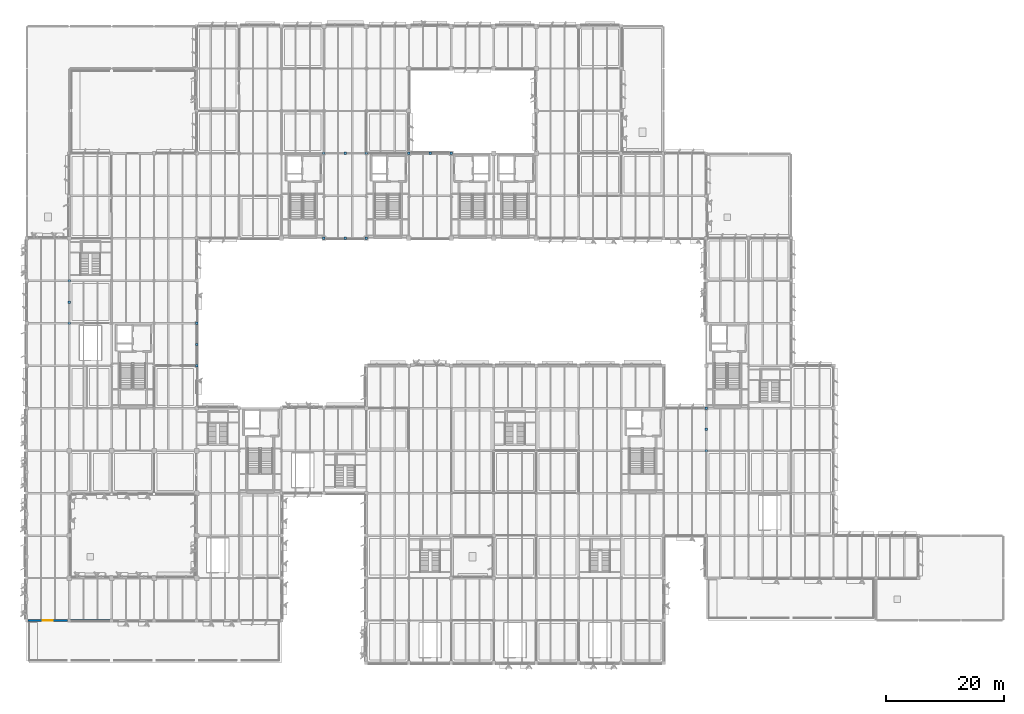
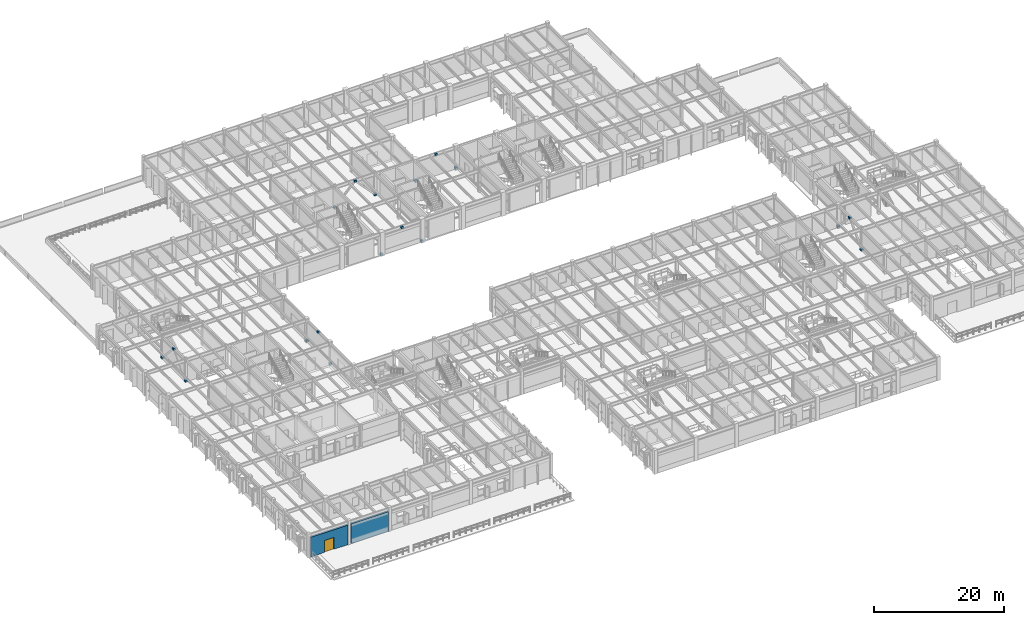
# One storey, part 30 of 92: 18 plates, 2 walls, 1 door, 1 opening.
"""IFC4 building model written with IfcOpenShell, lengths in metres."""

import ifcopenshell
import ifcopenshell.guid

model = None  # the IFC model being written
_history = None  # IfcOwnerHistory: only IFC2X3 demands one
_inside = {}  # id of a spatial element -> (the spatial element, [elements in it])
_under = {}  # id of a project, library or spatial element -> (it, [spatial elements below it])
_declared = {}  # id of a project -> (the project, [libraries it declares])
_typed = {}  # id of a type object -> (the type object, [elements of that type])
_made_of = {}  # id of a material, layer set ... -> (it, [elements and type objects made of it])


def new_model(schema):
    """Start an empty IFC model of exactly this schema.

    Asked for "IFC4X3", IfcOpenShell would pick the latest addendum, in which some entities
    have other attributes; the version numbers below select the first issue.
    IFC2X3 requires an IfcOwnerHistory on every rooted entity: one is made here for all.
    """
    global model, _history
    if schema == "IFC4X3":
        model = ifcopenshell.file(schema_version=(4, 3, 0, 0))
    else:
        model = ifcopenshell.file(schema=schema)
    _inside.clear()
    _under.clear()
    _declared.clear()
    _typed.clear()
    _made_of.clear()
    _history = None
    if model.schema == "IFC2X3":
        org = make("IfcOrganization", Name="unknown")
        user = make(
            "IfcPersonAndOrganization",
            ThePerson=make("IfcPerson", FamilyName="unknown"),
            TheOrganization=org,
        )
        app = make(
            "IfcApplication",
            ApplicationDeveloper=org,
            Version="unknown",
            ApplicationFullName="unknown",
            ApplicationIdentifier="unknown",
        )
        _history = make(
            "IfcOwnerHistory",
            OwningUser=user,
            OwningApplication=app,
            ChangeAction="ADDED",
            CreationDate=0,
        )
    return model


def make(cls, **values):
    """One entity of the class cls with the attributes given. An attribute that is None is left unset."""
    return model.create_entity(
        cls, **{name: value for name, value in values.items() if value is not None}
    )


def rooted(cls, **values):
    """An entity with a GlobalId (a new one), such as an element, a storey or a relation."""
    return make(cls, GlobalId=ifcopenshell.guid.new(), OwnerHistory=_history, **values)


def si_unit(unit_type, name, prefix=None):
    """IfcSIUnit, for example si_unit("LENGTHUNIT", "METRE", prefix="MILLI")."""
    return make("IfcSIUnit", UnitType=unit_type, Prefix=prefix, Name=name)


def assignment(units):
    """IfcUnitAssignment: the units of a project."""
    return None if units is None else make("IfcUnitAssignment", Units=units)


def point(xyz):
    """IfcCartesianPoint."""
    return None if xyz is None else make("IfcCartesianPoint", Coordinates=xyz)


def direction(xyz):
    """IfcDirection."""
    return None if xyz is None else make("IfcDirection", DirectionRatios=xyz)


def frame(location, z_axis=None, x_axis=None):
    """IfcAxis2Placement3D, a coordinate frame: its origin and axes. An axis left out is left unset."""
    return make(
        "IfcAxis2Placement3D",
        Location=point(location),
        Axis=direction(z_axis),
        RefDirection=direction(x_axis),
    )


def frame_2d(location, x_axis=None):
    """IfcAxis2Placement2D, a coordinate frame in the plane: its origin and x axis."""
    return make(
        "IfcAxis2Placement2D", Location=point(location), RefDirection=direction(x_axis)
    )


def origin():
    """The frame at (0, 0, 0) with its axes left unset."""
    return frame((0.0, 0.0, 0.0))


def origin_2d():
    """The frame at (0, 0) in the plane with its x axis left unset."""
    return frame_2d((0.0, 0.0))


def place(relative_to, where):
    """IfcLocalPlacement: puts the frame where relative to a parent placement (None: the world)."""
    return make(
        "IfcLocalPlacement", PlacementRelTo=relative_to, RelativePlacement=where
    )


def context(
    kind, dimensions, precision=None, world=None, true_north=None, identifier=None
):
    """IfcGeometricRepresentationContext, for example the 3D "Model" context."""
    return make(
        "IfcGeometricRepresentationContext",
        ContextIdentifier=identifier,
        ContextType=kind,
        CoordinateSpaceDimension=dimensions,
        Precision=precision,
        WorldCoordinateSystem=world,
        TrueNorth=true_north,
    )


def subcontext(parent, identifier, kind, view, scale=None):
    """IfcGeometricRepresentationSubContext, for example "Body" below "Model"."""
    return make(
        "IfcGeometricRepresentationSubContext",
        ContextIdentifier=identifier,
        ContextType=kind,
        ParentContext=parent,
        TargetScale=scale,
        TargetView=view,
    )


def project(units=None, contexts=None):
    """IfcProject with its units and contexts."""
    return rooted(
        "IfcProject",
        Name="project",
        RepresentationContexts=contexts,
        UnitsInContext=assignment(units),
    )


def spatial(cls, under=None, at=None, **own):
    """A site, building, storey or space (cls), placed at a placement, below another one or the project."""
    s = rooted(cls, ObjectPlacement=at, **own)
    if under is not None:
        _under.setdefault(under.id(), (under, []))[1].append(s)
    return s


def profile(cls, at=None, kind="AREA", **sizes):
    """A parametric profile (cls). Its sizes go by their IFC names, for example OverallWidth=200.0."""
    return make(cls, ProfileType=kind, Position=at, **sizes)


def rectangle(**sizes):
    """IfcRectangleProfileDef."""
    return profile("IfcRectangleProfileDef", **sizes)


def extrude(swept, where, along, depth):
    """IfcExtrudedAreaSolid: the profile swept, set in the frame where, extruded along a direction by depth."""
    return make(
        "IfcExtrudedAreaSolid",
        SweptArea=swept,
        Position=where,
        ExtrudedDirection=direction(along),
        Depth=depth,
    )


def shape(context_of_items, identifier, shape_type, items):
    """IfcShapeRepresentation: the items that make up one representation, for example the "Body"."""
    return make(
        "IfcShapeRepresentation",
        ContextOfItems=context_of_items,
        RepresentationIdentifier=identifier,
        RepresentationType=shape_type,
        Items=items,
    )


def material(Name=None, Category=None):
    """IfcMaterial."""
    return make("IfcMaterial", Name=Name, Category=Category)


def layer(
    of_material, thickness, ventilated=None, Name=None, Category=None, Priority=None
):
    """IfcMaterialLayer: one layer of a wall or slab, of a material (None: an air gap)."""
    return make(
        "IfcMaterialLayer",
        Material=of_material,
        LayerThickness=thickness,
        IsVentilated=ventilated,
        Name=Name,
        Category=Category,
        Priority=Priority,
    )


def layer_set(layers, Name=None):
    """IfcMaterialLayerSet."""
    return make("IfcMaterialLayerSet", MaterialLayers=layers, LayerSetName=Name)


def made_of(thing, what):
    """Note that an element or type object is made of a material, layer set ...; save() writes the relation."""
    if what is not None:
        _made_of.setdefault(what.id(), (what, []))[1].append(thing)
    return thing


def type_object(cls, material=None, **own):
    """A type object (cls), such as IfcWallType, which elements share."""
    return made_of(rooted(cls, **own), material)


def element(
    cls,
    number,
    at=None,
    inside=None,
    cuts=None,
    type_object=None,
    material=None,
    context=None,
    identifier="Body",
    shape_type=None,
    held_by="IfcProductDefinitionShape",
    body=None,
    shapes=None,
    **own,
):
    """One element of the class cls, such as IfcWall. Its Tag is "e" and its number.

    at: its placement. inside: the storey or other place that contains it. cuts: it is an
    opening in that element (IfcRelVoidsElement). A single representation is given by context,
    identifier, shape_type and body (its items); several are given by shapes. held_by: the class
    of the entity that holds the representations. save() writes the other relations.
    """
    e = rooted(cls, Tag="e%d" % number, ObjectPlacement=at, **own)
    if body is not None:
        shapes = [shape(context, identifier, shape_type, body)]
    if shapes is not None:
        e.Representation = make(held_by, Representations=shapes)
    if inside is not None:
        _inside.setdefault(inside.id(), (inside, []))[1].append(e)
    if cuts is not None:
        rooted(
            "IfcRelVoidsElement", RelatingBuildingElement=cuts, RelatedOpeningElement=e
        )
    if type_object is not None:
        _typed.setdefault(type_object.id(), (type_object, []))[1].append(e)
    return made_of(e, material)


def fill(opening, filler):
    """IfcRelFillsElement: the door or window that sits in an opening."""
    return rooted(
        "IfcRelFillsElement",
        RelatingOpeningElement=opening,
        RelatedBuildingElement=filler,
    )


def aggregate(whole, parts):
    """IfcRelAggregates: a whole, such as a stair, and the parts it consists of."""
    return rooted("IfcRelAggregates", RelatingObject=whole, RelatedObjects=parts)


def save(model, path):
    """Write the relations noted so far, then the file.

    IfcRelAggregates (storeys below a building ...), IfcRelContainedInSpatialStructure (elements
    in a storey), IfcRelDefinesByType, IfcRelAssociatesMaterial and IfcRelDeclares: one each for
    every whole, place, type object, material and project.
    """
    for whole, parts in _under.values():
        aggregate(whole, parts)
    for where, things in _inside.values():
        rooted(
            "IfcRelContainedInSpatialStructure",
            RelatedElements=things,
            RelatingStructure=where,
        )
    for kind, things in _typed.values():
        rooted("IfcRelDefinesByType", RelatedObjects=things, RelatingType=kind)
    for what, things in _made_of.values():
        rooted("IfcRelAssociatesMaterial", RelatedObjects=things, RelatingMaterial=what)
    for by, libraries in _declared.values():
        rooted("IfcRelDeclares", RelatingContext=by, RelatedDefinitions=libraries)
    model.write(path)


model = new_model("IFC4")

# Units and contexts
model_context = context("Model", 3, precision=1e-05, world=origin(), true_north=direction((0.0, 1.0)))
body_context = subcontext(model_context, "Body", "Model", "MODEL_VIEW")
ifc_project = project(units=[si_unit("LENGTHUNIT", "METRE"), si_unit("AREAUNIT", "SQUARE_METRE"), si_unit("VOLUMEUNIT", "CUBIC_METRE"), si_unit("PLANEANGLEUNIT", "RADIAN"), si_unit("MASSUNIT", "GRAM", prefix="KILO")], contexts=[model_context])

# Site, building, storey
site_placement = place(None, origin())
site = spatial("IfcSite", under=ifc_project, at=site_placement, CompositionType="ELEMENT")
building_placement = place(site_placement, origin())
building = spatial("IfcBuilding", under=site, at=building_placement, Name="Sillqori Civic Hall", CompositionType="ELEMENT")
storey_placement = place(building_placement, frame((0.0, 0.0, 5.39990234375)))
storey = spatial("IfcBuildingStorey", under=building, at=storey_placement, Name="L02", CompositionType="ELEMENT", Elevation=5.39990234375)

# Plates
ifc_material_1 = material(Name="Steel ASTM A36", Category="steel")
plate_type = type_object("IfcPlateType", Name="PLT-GUSSET-20", PredefinedType="SHEET", material=ifc_material_1)
for number, where, z_axis, x_axis, name in (
    (1, (61.199951171875, 79.199951171875, 3.81982421875), (0.0, 0.0, 1.0), (1.0, 0.0, 0.0), "L02 chevron brace node plate APX"),
    (2, (57.60009765625, 79.199951171875, -0.02978515625), (0.0, 0.0, 1.0), (1.0, 0.0, 0.0), "L02 chevron brace node plate BSL"),
    (3, (64.800048828125, 79.199951171875, -0.02978515625), (0.0, 0.0, 1.0), (1.0, 0.0, 0.0), "L02 chevron brace node plate BSR"),
    (4, (61.199951171875, 93.60009765625, 3.81982421875), (0.0, 0.0, 1.0), (1.0, 0.0, 0.0), "L02 chevron brace node plate APX"),
    (5, (57.60009765625, 93.60009765625, -0.02978515625), (0.0, 0.0, 1.0), (1.0, 0.0, 0.0), "L02 chevron brace node plate BSL"),
    (6, (64.800048828125, 93.60009765625, -0.02978515625), (0.0, 0.0, 1.0), (1.0, 0.0, 0.0), "L02 chevron brace node plate BSR"),
    (7, (75.60009765625, 93.60009765625, 3.81982421875), (0.0, 0.0, 1.0), (1.0, 0.0, 0.0), "L02 chevron brace node plate APX"),
    (8, (72.0, 93.60009765625, -0.02978515625), (0.0, 0.0, 1.0), (1.0, 0.0, 0.0), "L02 chevron brace node plate BSL"),
    (9, (79.199951171875, 93.60009765625, -0.02978515625), (0.0, 0.0, 1.0), (1.0, 0.0, 0.0), "L02 chevron brace node plate BSR"),
    (10, (36.0, 61.199951171875, 3.81982421875), (0.0, 0.0, 1.0), (1.0, 0.0, 0.0), "L02 chevron brace node plate APX"),
    (11, (36.0, 57.60009765625, -0.02978515625), (0.0, 0.0, 1.0), (1.0, 0.0, 0.0), "L02 chevron brace node plate BSL"),
    (12, (36.0, 64.800048828125, -0.02978515625), (0.0, 0.0, 1.0), (1.0, 0.0, 0.0), "L02 chevron brace node plate BSR"),
    (13, (14.39990234375, 68.39990234375, 3.81982421875), (0.0, 0.0, 1.0), (1.0, 0.0, 0.0), "L02 chevron brace node plate APX"),
    (14, (14.39990234375, 64.800048828125, -0.02978515625), (0.0, 0.0, 1.0), (1.0, 0.0, 0.0), "L02 chevron brace node plate BSL"),
    (15, (14.39990234375, 72.0, -0.02978515625), (0.0, 0.0, 1.0), (1.0, 0.0, 0.0), "L02 chevron brace node plate BSR"),
    (16, (122.39990234375, 46.800048828125, 3.81982421875), (0.0, 0.0, 1.0), (1.0, 0.0, 0.0), "L02 chevron brace node plate APX"),
    (17, (122.39990234375, 43.199951171875, -0.02978515625), (0.0, 0.0, 1.0), (1.0, 0.0, 0.0), "L02 chevron brace node plate BSL"),
    (18, (122.39990234375, 50.39990234375, -0.02978515625), (0.0, 0.0, 1.0), (1.0, 0.0, 0.0), "L02 chevron brace node plate BSR"),
):
    element("IfcPlate", number, at=place(storey_placement, frame(where, z_axis=z_axis, x_axis=x_axis)), inside=storey, type_object=plate_type, Name=name, PredefinedType="SHEET", context=body_context, shape_type="SweptSolid", body=[
        extrude(rectangle(XDim=0.419921875, YDim=0.419921875, at=origin_2d()), origin(), (0.0, 0.0, 1.0), 0.360107421875),
    ])

# Wall, opening, door
ifc_material_2 = material(Name="Precast concrete C40/50 (H40)", Category="concrete")
ifc_layer = layer(ifc_material_2, 0.340087890625)
ifc_layer_set = layer_set([ifc_layer], Name="Precast concrete C40/50 (H40)")
wall_type = type_object("IfcWallType", Name="EW-ARC-340", PredefinedType="SOLIDWALL", material=ifc_layer_set)
wall_1_placement = place(storey_placement, frame((14.14990234375, 14.39990234375, 0.0), z_axis=(0.0, 0.0, 1.0), x_axis=(-1.0, 0.0, 0.0)))
wall_1 = element("IfcWall", 19, at=wall_1_placement, inside=storey, type_object=wall_type, Name="L02 V1 exterior wall L02-01-02-S", PredefinedType="SOLIDWALL", context=body_context, shape_type="SweptSolid", body=[
    extrude(rectangle(XDim=6.699951171875, YDim=0.340087890625, at=frame_2d((3.35009765625, 0.0))), origin(), (0.0, 0.0, 1.0), 3.697998046875),
])
opening_placement = place(wall_1_placement, frame((2.5, 0.0, 0.0)))
opening = element("IfcOpeningElement", 20, at=opening_placement, cuts=wall_1, Name="Opening ED-07", PredefinedType="OPENING", context=body_context, shape_type="SweptSolid", body=[
    extrude(rectangle(XDim=1.699951171875, YDim=2.25, at=frame_2d((0.85009765625, 1.125))), frame((0.0, 0.179931640625, 0.0), z_axis=(0.0, -1.0, 0.0), x_axis=(1.0, 0.0, 0.0)), (0.0, 0.0, 1.0), 0.360107421875),
])
ifc_material_3 = material(Name="Thermally Broken Anodized Aluminium and Laminated Glass", Category="aluminium")
door_type = type_object("IfcDoorType", Name="EDR-TERR-170X225", OperationType="NOTDEFINED", PredefinedType="DOOR", material=ifc_material_3)
door_placement = place(opening_placement, origin())
door = element("IfcDoor", 21, at=door_placement, inside=storey, type_object=door_type, Name="South Chamber Step Terrace 1 Access Door", OperationType="DOUBLE_DOOR_SINGLE_SWING", OverallHeight=2.25, OverallWidth=1.699951171875, PredefinedType="DOOR", context=body_context, shape_type="SweptSolid", body=[
    extrude(rectangle(XDim=1.699951171875, YDim=2.25, at=frame_2d((0.85009765625, 1.125))), frame((0.0, 0.02490234375, 0.0), z_axis=(0.0, -1.0, 0.0), x_axis=(1.0, 0.0, 0.0)), (0.0, 0.0, 1.0), 0.050048828125),
])
fill(opening, door)

# Wall
wall_2_placement = place(storey_placement, frame((21.35009765625, 14.39990234375, 0.0), z_axis=(0.0, 0.0, 1.0), x_axis=(-1.0, 0.0, 0.0)))
element("IfcWall", 22, at=wall_2_placement, inside=storey, type_object=wall_type, Name="L02 V1 exterior wall L02-02-02-S", PredefinedType="SOLIDWALL", context=body_context, shape_type="SweptSolid", body=[
    extrude(rectangle(XDim=6.7001953125, YDim=0.340087890625, at=frame_2d((3.35009765625, 0.0))), origin(), (0.0, 0.0, 1.0), 3.697998046875),
])

save(model, "model.ifc")
